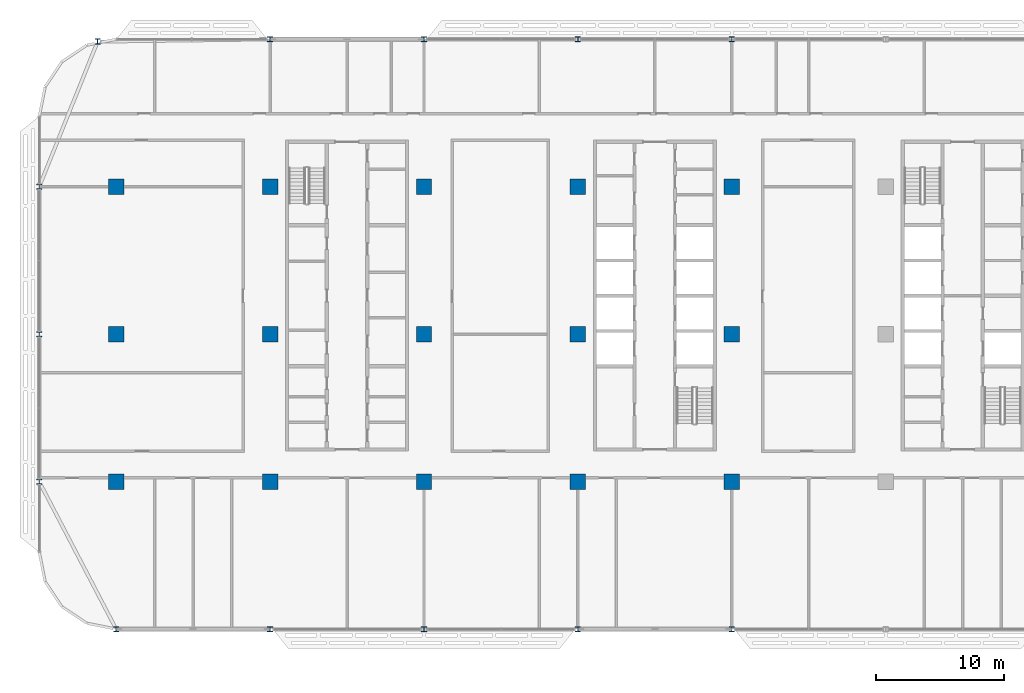
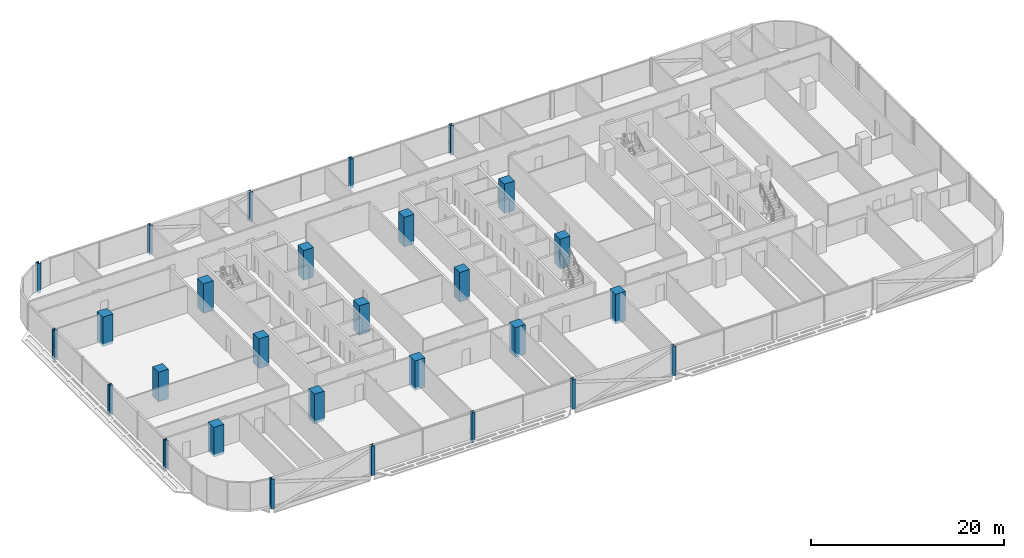
# One storey, part 1 of 28: 28 columns.
"""IFC4 building model written with IfcOpenShell, lengths in metres."""

import ifcopenshell
import ifcopenshell.guid

model = None  # the IFC model being written
_history = None  # IfcOwnerHistory: only IFC2X3 demands one
_inside = {}  # id of a spatial element -> (the spatial element, [elements in it])
_under = {}  # id of a project, library or spatial element -> (it, [spatial elements below it])
_declared = {}  # id of a project -> (the project, [libraries it declares])
_typed = {}  # id of a type object -> (the type object, [elements of that type])
_made_of = {}  # id of a material, layer set ... -> (it, [elements and type objects made of it])


def new_model(schema):
    """Start an empty IFC model of exactly this schema.

    Asked for "IFC4X3", IfcOpenShell would pick the latest addendum, in which some entities
    have other attributes; the version numbers below select the first issue.
    IFC2X3 requires an IfcOwnerHistory on every rooted entity: one is made here for all.
    """
    global model, _history
    if schema == "IFC4X3":
        model = ifcopenshell.file(schema_version=(4, 3, 0, 0))
    else:
        model = ifcopenshell.file(schema=schema)
    _inside.clear()
    _under.clear()
    _declared.clear()
    _typed.clear()
    _made_of.clear()
    _history = None
    if model.schema == "IFC2X3":
        org = make("IfcOrganization", Name="unknown")
        user = make(
            "IfcPersonAndOrganization",
            ThePerson=make("IfcPerson", FamilyName="unknown"),
            TheOrganization=org,
        )
        app = make(
            "IfcApplication",
            ApplicationDeveloper=org,
            Version="unknown",
            ApplicationFullName="unknown",
            ApplicationIdentifier="unknown",
        )
        _history = make(
            "IfcOwnerHistory",
            OwningUser=user,
            OwningApplication=app,
            ChangeAction="ADDED",
            CreationDate=0,
        )
    return model


def make(cls, **values):
    """One entity of the class cls with the attributes given. An attribute that is None is left unset."""
    return model.create_entity(
        cls, **{name: value for name, value in values.items() if value is not None}
    )


def rooted(cls, **values):
    """An entity with a GlobalId (a new one), such as an element, a storey or a relation."""
    return make(cls, GlobalId=ifcopenshell.guid.new(), OwnerHistory=_history, **values)


def si_unit(unit_type, name, prefix=None):
    """IfcSIUnit, for example si_unit("LENGTHUNIT", "METRE", prefix="MILLI")."""
    return make("IfcSIUnit", UnitType=unit_type, Prefix=prefix, Name=name)


def assignment(units):
    """IfcUnitAssignment: the units of a project."""
    return None if units is None else make("IfcUnitAssignment", Units=units)


def point(xyz):
    """IfcCartesianPoint."""
    return None if xyz is None else make("IfcCartesianPoint", Coordinates=xyz)


def direction(xyz):
    """IfcDirection."""
    return None if xyz is None else make("IfcDirection", DirectionRatios=xyz)


def frame(location, z_axis=None, x_axis=None):
    """IfcAxis2Placement3D, a coordinate frame: its origin and axes. An axis left out is left unset."""
    return make(
        "IfcAxis2Placement3D",
        Location=point(location),
        Axis=direction(z_axis),
        RefDirection=direction(x_axis),
    )


def frame_2d(location, x_axis=None):
    """IfcAxis2Placement2D, a coordinate frame in the plane: its origin and x axis."""
    return make(
        "IfcAxis2Placement2D", Location=point(location), RefDirection=direction(x_axis)
    )


def origin():
    """The frame at (0, 0, 0) with its axes left unset."""
    return frame((0.0, 0.0, 0.0))


def origin_2d():
    """The frame at (0, 0) in the plane with its x axis left unset."""
    return frame_2d((0.0, 0.0))


def place(relative_to, where):
    """IfcLocalPlacement: puts the frame where relative to a parent placement (None: the world)."""
    return make(
        "IfcLocalPlacement", PlacementRelTo=relative_to, RelativePlacement=where
    )


def context(
    kind, dimensions, precision=None, world=None, true_north=None, identifier=None
):
    """IfcGeometricRepresentationContext, for example the 3D "Model" context."""
    return make(
        "IfcGeometricRepresentationContext",
        ContextIdentifier=identifier,
        ContextType=kind,
        CoordinateSpaceDimension=dimensions,
        Precision=precision,
        WorldCoordinateSystem=world,
        TrueNorth=true_north,
    )


def subcontext(parent, identifier, kind, view, scale=None):
    """IfcGeometricRepresentationSubContext, for example "Body" below "Model"."""
    return make(
        "IfcGeometricRepresentationSubContext",
        ContextIdentifier=identifier,
        ContextType=kind,
        ParentContext=parent,
        TargetScale=scale,
        TargetView=view,
    )


def project(units=None, contexts=None):
    """IfcProject with its units and contexts."""
    return rooted(
        "IfcProject",
        Name="project",
        RepresentationContexts=contexts,
        UnitsInContext=assignment(units),
    )


def spatial(cls, under=None, at=None, **own):
    """A site, building, storey or space (cls), placed at a placement, below another one or the project."""
    s = rooted(cls, ObjectPlacement=at, **own)
    if under is not None:
        _under.setdefault(under.id(), (under, []))[1].append(s)
    return s


def profile(cls, at=None, kind="AREA", **sizes):
    """A parametric profile (cls). Its sizes go by their IFC names, for example OverallWidth=200.0."""
    return make(cls, ProfileType=kind, Position=at, **sizes)


def rectangle(**sizes):
    """IfcRectangleProfileDef."""
    return profile("IfcRectangleProfileDef", **sizes)


def i_section(**sizes):
    """IfcIShapeProfileDef."""
    return profile("IfcIShapeProfileDef", **sizes)


def extrude(swept, where, along, depth):
    """IfcExtrudedAreaSolid: the profile swept, set in the frame where, extruded along a direction by depth."""
    return make(
        "IfcExtrudedAreaSolid",
        SweptArea=swept,
        Position=where,
        ExtrudedDirection=direction(along),
        Depth=depth,
    )


def shape(context_of_items, identifier, shape_type, items):
    """IfcShapeRepresentation: the items that make up one representation, for example the "Body"."""
    return make(
        "IfcShapeRepresentation",
        ContextOfItems=context_of_items,
        RepresentationIdentifier=identifier,
        RepresentationType=shape_type,
        Items=items,
    )


def material(Name=None, Category=None):
    """IfcMaterial."""
    return make("IfcMaterial", Name=Name, Category=Category)


def material_profile(
    of_material, cross_section, Name=None, Category=None, Priority=None
):
    """IfcMaterialProfile: a cross section and its material."""
    return make(
        "IfcMaterialProfile",
        Name=Name,
        Material=of_material,
        Profile=cross_section,
        Priority=Priority,
        Category=Category,
    )


def profile_set(profiles, Name=None, composite=None):
    """IfcMaterialProfileSet."""
    return make(
        "IfcMaterialProfileSet",
        Name=Name,
        MaterialProfiles=profiles,
        CompositeProfile=composite,
    )


def made_of(thing, what):
    """Note that an element or type object is made of a material, layer set ...; save() writes the relation."""
    if what is not None:
        _made_of.setdefault(what.id(), (what, []))[1].append(thing)
    return thing


def type_object(cls, material=None, **own):
    """A type object (cls), such as IfcWallType, which elements share."""
    return made_of(rooted(cls, **own), material)


def element(
    cls,
    number,
    at=None,
    inside=None,
    cuts=None,
    type_object=None,
    material=None,
    context=None,
    identifier="Body",
    shape_type=None,
    held_by="IfcProductDefinitionShape",
    body=None,
    shapes=None,
    **own,
):
    """One element of the class cls, such as IfcWall. Its Tag is "e" and its number.

    at: its placement. inside: the storey or other place that contains it. cuts: it is an
    opening in that element (IfcRelVoidsElement). A single representation is given by context,
    identifier, shape_type and body (its items); several are given by shapes. held_by: the class
    of the entity that holds the representations. save() writes the other relations.
    """
    e = rooted(cls, Tag="e%d" % number, ObjectPlacement=at, **own)
    if body is not None:
        shapes = [shape(context, identifier, shape_type, body)]
    if shapes is not None:
        e.Representation = make(held_by, Representations=shapes)
    if inside is not None:
        _inside.setdefault(inside.id(), (inside, []))[1].append(e)
    if cuts is not None:
        rooted(
            "IfcRelVoidsElement", RelatingBuildingElement=cuts, RelatedOpeningElement=e
        )
    if type_object is not None:
        _typed.setdefault(type_object.id(), (type_object, []))[1].append(e)
    return made_of(e, material)


def aggregate(whole, parts):
    """IfcRelAggregates: a whole, such as a stair, and the parts it consists of."""
    return rooted("IfcRelAggregates", RelatingObject=whole, RelatedObjects=parts)


def save(model, path):
    """Write the relations noted so far, then the file.

    IfcRelAggregates (storeys below a building ...), IfcRelContainedInSpatialStructure (elements
    in a storey), IfcRelDefinesByType, IfcRelAssociatesMaterial and IfcRelDeclares: one each for
    every whole, place, type object, material and project.
    """
    for whole, parts in _under.values():
        aggregate(whole, parts)
    for where, things in _inside.values():
        rooted(
            "IfcRelContainedInSpatialStructure",
            RelatedElements=things,
            RelatingStructure=where,
        )
    for kind, things in _typed.values():
        rooted("IfcRelDefinesByType", RelatedObjects=things, RelatingType=kind)
    for what, things in _made_of.values():
        rooted("IfcRelAssociatesMaterial", RelatedObjects=things, RelatingMaterial=what)
    for by, libraries in _declared.values():
        rooted("IfcRelDeclares", RelatingContext=by, RelatedDefinitions=libraries)
    model.write(path)


model = new_model("IFC4")

# Units and contexts
model_context = context("Model", 3, precision=1e-05, world=origin(), true_north=direction((0.0, 1.0)))
body_context = subcontext(model_context, "Body", "Model", "MODEL_VIEW")
ifc_project = project(units=[si_unit("LENGTHUNIT", "METRE"), si_unit("AREAUNIT", "SQUARE_METRE"), si_unit("VOLUMEUNIT", "CUBIC_METRE"), si_unit("PLANEANGLEUNIT", "RADIAN"), si_unit("MASSUNIT", "GRAM", prefix="KILO")], contexts=[model_context])

# Site, building, storey
site_placement = place(None, origin())
site = spatial("IfcSite", under=ifc_project, at=site_placement, CompositionType="ELEMENT")
building_placement = place(site_placement, origin())
building = spatial("IfcBuilding", under=site, at=building_placement, Name="Mahtab Terrace Research Tower", CompositionType="ELEMENT")
storey_placement = place(building_placement, frame((0.0, 0.0, 185.800048828125)))
storey = spatial("IfcBuildingStorey", under=building, at=storey_placement, Name="L44", CompositionType="ELEMENT", Elevation=185.800048828125)

# Columns
ifc_material_1 = material(Name="Concrete C70/85", Category="concrete")
ifc_material_profile_1 = material_profile(ifc_material_1, rectangle(XDim=1.199951171875, YDim=1.199951171875, at=origin_2d()), Name="RC column 1200x1200")
ifc_profile_set_1 = profile_set([ifc_material_profile_1], Name="Concrete C70/85")
column_type_1 = type_object("IfcColumnType", Name="RC column 1200x1200", PredefinedType="COLUMN", material=ifc_profile_set_1)
for number, where, z_axis, x_axis, name in (
    (1, (-42.0, -11.5, -0.340087890625), (0.0, 0.0, 1.0), (1.0, 0.0, 0.0), "Column RC-1A L44"),
    (2, (-42.0, 0.0, -0.340087890625), (0.0, 0.0, 1.0), (1.0, 0.0, 0.0), "Column RC-1B L44"),
    (3, (-42.0, 11.5, -0.340087890625), (0.0, 0.0, 1.0), (1.0, 0.0, 0.0), "Column RC-1C L44"),
    (4, (-30.0, -11.5, -0.340087890625), (0.0, 0.0, 1.0), (1.0, 0.0, 0.0), "Column RC-2A L44"),
    (5, (-30.0, 0.0, -0.340087890625), (0.0, 0.0, 1.0), (1.0, 0.0, 0.0), "Column RC-2B L44"),
    (6, (-30.0, 11.5, -0.340087890625), (0.0, 0.0, 1.0), (1.0, 0.0, 0.0), "Column RC-2C L44"),
    (7, (-18.0, -11.5, -0.340087890625), (0.0, 0.0, 1.0), (1.0, 0.0, 0.0), "Column RC-3A L44"),
    (8, (-18.0, 0.0, -0.340087890625), (0.0, 0.0, 1.0), (1.0, 0.0, 0.0), "Column RC-3B L44"),
    (9, (-18.0, 11.5, -0.340087890625), (0.0, 0.0, 1.0), (1.0, 0.0, 0.0), "Column RC-3C L44"),
    (10, (-6.0, -11.5, -0.340087890625), (0.0, 0.0, 1.0), (1.0, 0.0, 0.0), "Column RC-4A L44"),
    (11, (-6.0, 0.0, -0.340087890625), (0.0, 0.0, 1.0), (1.0, 0.0, 0.0), "Column RC-4B L44"),
    (12, (-6.0, 11.5, -0.340087890625), (0.0, 0.0, 1.0), (1.0, 0.0, 0.0), "Column RC-4C L44"),
    (13, (6.0, -11.5, -0.340087890625), (0.0, 0.0, 1.0), (1.0, 0.0, 0.0), "Column RC-5A L44"),
    (14, (6.0, 0.0, -0.340087890625), (0.0, 0.0, 1.0), (1.0, 0.0, 0.0), "Column RC-5B L44"),
    (15, (6.0, 11.5, -0.340087890625), (0.0, 0.0, 1.0), (1.0, 0.0, 0.0), "Column RC-5C L44"),
):
    element("IfcColumn", number, at=place(storey_placement, frame(where, z_axis=z_axis, x_axis=x_axis)), inside=storey, type_object=column_type_1, Name=name, PredefinedType="COLUMN", context=body_context, shape_type="SweptSolid", body=[
        extrude(rectangle(XDim=1.199951171875, YDim=1.199951171875, at=origin_2d()), origin(), (0.0, 0.0, 1.0), 3.739990234375),
    ])
ifc_material_2 = material(Name="Steel ASTM A992 Gr 50", Category="steel")
ifc_material_profile_2 = material_profile(ifc_material_2, i_section(OverallWidth=0.406494140625, OverallDepth=0.41650390625, WebThickness=0.030029296875, FlangeThickness=0.048095703125, at=origin_2d()), Name="W14X257")
ifc_profile_set_2 = profile_set([ifc_material_profile_2], Name="Steel ASTM A992 Gr 50")
column_type_2 = type_object("IfcColumnType", Name="W14x257 column CS14257", PredefinedType="COLUMN", material=ifc_profile_set_2)
for number, where, z_axis, x_axis, name in (
    (16, (6.0, 23.0, -0.340087890625), (0.0, 0.0, 1.0), (1.0, 0.0, 0.0), "Column SC-004 L44"),
    (17, (-6.0, 23.0, -0.340087890625), (0.0, 0.0, 1.0), (1.0, 0.0, 0.0), "Column SC-005 L44"),
    (18, (-18.0, 23.0, -0.340087890625), (0.0, 0.0, 1.0), (1.0, 0.0, 0.0), "Column SC-006 L44"),
    (19, (-30.0, 23.0, -0.340087890625), (0.0, 0.0, 1.0), (1.0, 0.0, 0.0), "Column SC-007 L44"),
    (20, (-43.447998046875, 22.822021484375, -0.340087890625), (0.0, 0.0, 1.0), (1.0, 0.0, 0.0), "Column SC-051 L44"),
    (21, (-48.0, 11.5, -0.340087890625), (0.0, 0.0, 1.0), (1.0, 0.0, 0.0), "Column SC-009 L44"),
    (22, (-48.0, 0.0, -0.340087890625), (0.0, 0.0, 1.0), (1.0, 0.0, 0.0), "Column SC-010 L44"),
    (23, (-48.0, -11.5, -0.340087890625), (0.0, 0.0, 1.0), (1.0, 0.0, 0.0), "Column SC-011 L44"),
    (24, (-42.0, -23.0, -0.340087890625), (0.0, 0.0, 1.0), (1.0, 0.0, 0.0), "Column SC-012 L44"),
    (25, (-30.0, -23.0, -0.340087890625), (0.0, 0.0, 1.0), (1.0, 0.0, 0.0), "Column SC-013 L44"),
    (26, (-18.0, -23.0, -0.340087890625), (0.0, 0.0, 1.0), (1.0, 0.0, 0.0), "Column SC-014 L44"),
    (27, (-6.0, -23.0, -0.340087890625), (0.0, 0.0, 1.0), (1.0, 0.0, 0.0), "Column SC-015 L44"),
    (28, (6.0, -23.0, -0.340087890625), (0.0, 0.0, 1.0), (1.0, 0.0, 0.0), "Column SC-016 L44"),
):
    element("IfcColumn", number, at=place(storey_placement, frame(where, z_axis=z_axis, x_axis=x_axis)), inside=storey, type_object=column_type_2, Name=name, PredefinedType="COLUMN", context=body_context, shape_type="SweptSolid", body=[
        extrude(i_section(OverallWidth=0.406494140625, OverallDepth=0.41650390625, WebThickness=0.030029296875, FlangeThickness=0.048095703125, at=origin_2d()), origin(), (0.0, 0.0, 1.0), 3.739990234375),
    ])

save(model, "model.ifc")
